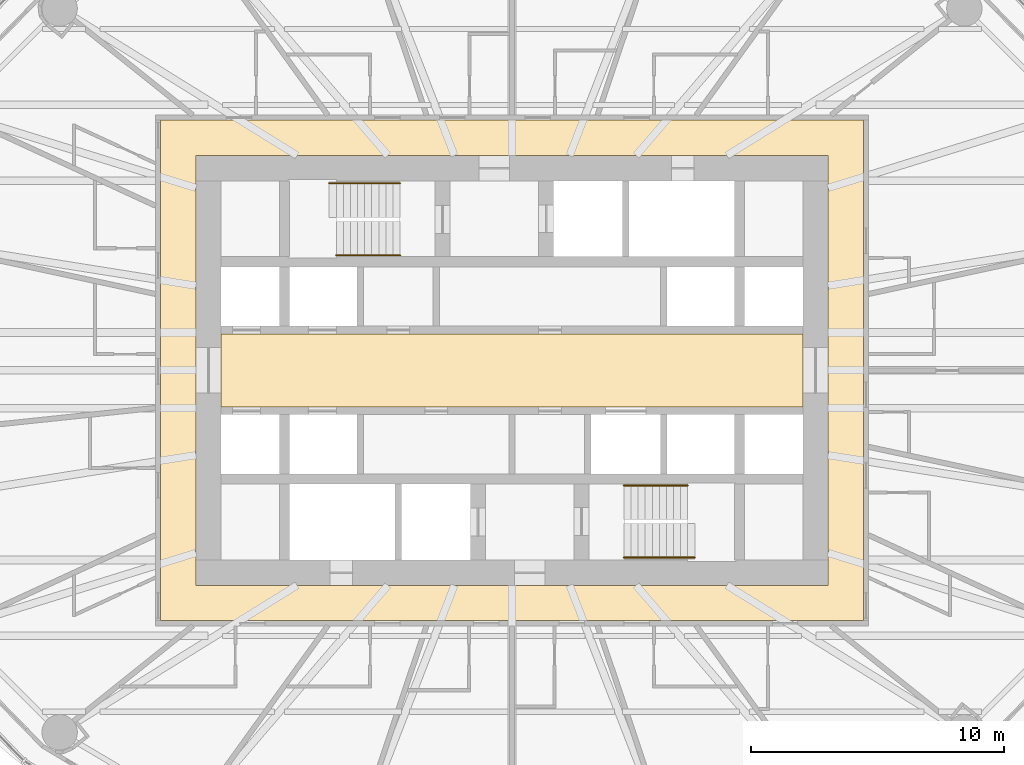
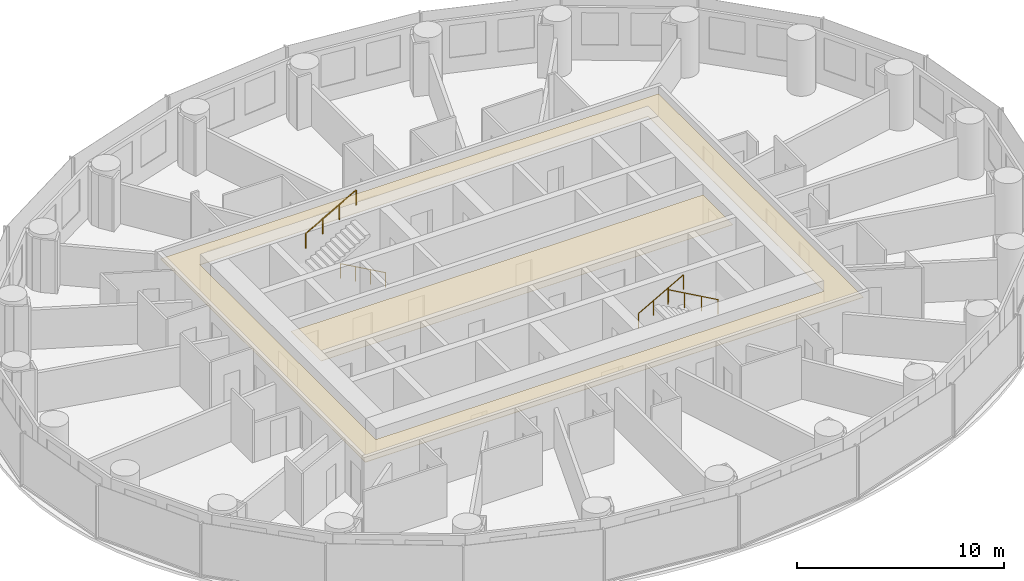
# One storey, part 14 of 14: 4 railings, 2 coverings.
"""IFC4 building model written with IfcOpenShell, lengths in metres."""

from ifc_helpers import new_model, si_unit, direction, frame, origin, origin_2d, place, context, subcontext, project, spatial, polyline, circle, outline, extrude, material, layer, layer_set, type_object, element, save


model = new_model("IFC4")

# Units and contexts
model_context = context("Model", 3, precision=1e-05, world=origin(), true_north=direction((0.0, 1.0)))
body_context = subcontext(model_context, "Body", "Model", "MODEL_VIEW")
ifc_project = project(units=[si_unit("LENGTHUNIT", "METRE"), si_unit("AREAUNIT", "SQUARE_METRE"), si_unit("VOLUMEUNIT", "CUBIC_METRE"), si_unit("PLANEANGLEUNIT", "RADIAN"), si_unit("MASSUNIT", "GRAM", prefix="KILO")], contexts=[model_context])

# Site, building, storey
site_placement = place(None, origin())
site = spatial("IfcSite", under=ifc_project, at=site_placement, CompositionType="ELEMENT")
building_placement = place(site_placement, origin())
building = spatial("IfcBuilding", under=site, at=building_placement, Name="Hankou Lantern Tower", CompositionType="ELEMENT")
storey_placement = place(building_placement, frame((0.0, 0.0, 60.60009765625)))
storey = spatial("IfcBuildingStorey", under=building, at=storey_placement, Name="L14", CompositionType="ELEMENT", Elevation=60.60009765625)

# Coverings
ifc_material_1 = material(Name="Black painted aluminium linear ceiling panels", Category="aluminium")
ifc_layer_1 = layer(ifc_material_1, 0.02490234375)
ifc_layer_set_1 = layer_set([ifc_layer_1], Name="Black painted aluminium linear ceiling panels")
covering_type_1 = type_object("IfcCoveringType", Name="CL1 CORRIDOR CEILING 25", PredefinedType="CEILING", material=ifc_layer_set_1)
covering_1_placement = place(storey_placement, frame((0.0, 0.0, 2.64501953125)))
element("IfcCovering", 1, at=covering_1_placement, inside=storey, type_object=covering_type_1, Name="Corridor ceiling L14", PredefinedType="CEILING", context=body_context, shape_type="SweptSolid", body=[
    extrude(outline(polyline([(-13.89990234375, -9.89990234375), (13.89990234375, -9.89990234375), (13.89990234375, 9.89990234375), (-13.89990234375, 9.89990234375), (-13.89990234375, -9.89990234375)]), holes=[polyline([(-12.5, 8.5), (12.5, 8.5), (12.5, -8.5), (-12.5, -8.5), (-12.5, 8.5)])]), origin(), (0.0, 0.0, 1.0), 0.02490234375),
])
ifc_material_2 = material(Name="Perforated black aluminium acoustic tray ceiling", Category="aluminium")
ifc_layer_2 = layer(ifc_material_2, 0.014892578125)
ifc_layer_set_2 = layer_set([ifc_layer_2], Name="Perforated black aluminium acoustic tray ceiling")
covering_type_2 = type_object("IfcCoveringType", Name="CL2 LIFT LOBBY CEILING 15", PredefinedType="CEILING", material=ifc_layer_set_2)
covering_2_placement = place(storey_placement, frame((0.0, 0.0, 2.65478515625)))
element("IfcCovering", 2, at=covering_2_placement, inside=storey, type_object=covering_type_2, Name="Lift lobby ceiling L14", PredefinedType="CEILING", context=body_context, shape_type="SweptSolid", body=[
    extrude(outline(polyline([(-11.5, -1.449951171875), (11.5, -1.449951171875), (11.5, 1.449951171875), (-11.5, 1.449951171875), (-11.5, -1.449951171875)])), origin(), (0.0, 0.0, 1.0), 0.01513671875),
])

# Railings
ifc_material_3 = material(Name="Steel handrail", Category="steel")
railing_type = type_object("IfcRailingType", Name="HR1 STAIR HANDRAIL", PredefinedType="HANDRAIL", material=ifc_material_3)
railing_1_placement = place(storey_placement, frame((-4.429931640625, 4.550048828125, 0.89990234375)))
element("IfcRailing", 3, at=railing_1_placement, inside=storey, type_object=railing_type, Name="Handrail stair STA L14 flight 1", PredefinedType="HANDRAIL", context=body_context, shape_type="SweptSolid", body=[
    extrude(circle(Radius=0.02392578125, at=origin_2d()), frame((0.0, 0.0, 0.8759765625), z_axis=(-0.872048945198, 0.0, 0.489418672692), x_axis=(0.0, -1.0, 0.0)), (0.0, 0.0, 1.0), 2.8896484375),
    extrude(circle(Radius=0.02099609375, at=origin_2d()), origin(), (0.0, 0.0, 1.0), 0.851806640625),
    extrude(circle(Radius=0.02099609375, at=origin_2d()), frame((-0.840087890625, 0.0, 0.471435546875)), (0.0, 0.0, 1.0), 0.851806640625),
    extrude(circle(Radius=0.02099609375, at=origin_2d()), frame((-1.679931640625, 0.0, 0.94287109375)), (0.0, 0.0, 1.0), 0.851806640625),
    extrude(circle(Radius=0.02099609375, at=origin_2d()), frame((-2.52001953125, 0.0, 1.414306640625)), (0.0, 0.0, 1.0), 0.851806640625),
])
railing_2_placement = place(storey_placement, frame((-7.22998046875, 7.39990234375, 2.471435546875)))
element("IfcRailing", 4, at=railing_2_placement, inside=storey, type_object=railing_type, Name="Handrail stair STA L14 flight 2", PredefinedType="HANDRAIL", context=body_context, shape_type="SweptSolid", body=[
    extrude(circle(Radius=0.02392578125, at=origin_2d()), frame((0.0, 0.0, 0.8759765625), z_axis=(0.872072602893, 0.0, 0.489376516891), x_axis=(0.0, 1.0, 0.0)), (0.0, 0.0, 1.0), 3.210693359375),
    extrude(circle(Radius=0.02099609375, at=origin_2d()), origin(), (0.0, 0.0, 1.0), 0.851806640625),
    extrude(circle(Radius=0.02099609375, at=origin_2d()), frame((0.933349609375, 0.0, 0.523681640625)), (0.0, 0.0, 1.0), 0.851806640625),
    extrude(circle(Radius=0.02099609375, at=origin_2d()), frame((1.86669921875, 0.0, 1.047607421875)), (0.0, 0.0, 1.0), 0.851806640625),
    extrude(circle(Radius=0.02099609375, at=origin_2d()), frame((2.800048828125, 0.0, 1.5712890625)), (0.0, 0.0, 1.0), 0.851806640625),
])
railing_3_placement = place(storey_placement, frame((4.429931640625, -4.550048828125, 0.89990234375)))
element("IfcRailing", 5, at=railing_3_placement, inside=storey, type_object=railing_type, Name="Handrail stair STB L14 flight 1", PredefinedType="HANDRAIL", context=body_context, shape_type="SweptSolid", body=[
    extrude(circle(Radius=0.02392578125, at=origin_2d()), frame((0.0, 0.0, 0.8759765625), z_axis=(0.872048945198, 0.0, 0.489418672692), x_axis=(0.0, 1.0, 0.0)), (0.0, 0.0, 1.0), 2.8896484375),
    extrude(circle(Radius=0.02099609375, at=origin_2d()), origin(), (0.0, 0.0, 1.0), 0.851806640625),
    extrude(circle(Radius=0.02099609375, at=origin_2d()), frame((0.840087890625, 0.0, 0.471435546875)), (0.0, 0.0, 1.0), 0.851806640625),
    extrude(circle(Radius=0.02099609375, at=origin_2d()), frame((1.679931640625, 0.0, 0.94287109375)), (0.0, 0.0, 1.0), 0.851806640625),
    extrude(circle(Radius=0.02099609375, at=origin_2d()), frame((2.52001953125, 0.0, 1.414306640625)), (0.0, 0.0, 1.0), 0.851806640625),
])
railing_4_placement = place(storey_placement, frame((7.22998046875, -7.39990234375, 2.471435546875)))
element("IfcRailing", 6, at=railing_4_placement, inside=storey, type_object=railing_type, Name="Handrail stair STB L14 flight 2", PredefinedType="HANDRAIL", context=body_context, shape_type="SweptSolid", body=[
    extrude(circle(Radius=0.02392578125, at=origin_2d()), frame((0.0, 0.0, 0.8759765625), z_axis=(-0.872072602893, 0.0, 0.489376516891), x_axis=(0.0, -1.0, 0.0)), (0.0, 0.0, 1.0), 3.210693359375),
    extrude(circle(Radius=0.02099609375, at=origin_2d()), origin(), (0.0, 0.0, 1.0), 0.851806640625),
    extrude(circle(Radius=0.02099609375, at=origin_2d()), frame((-0.933349609375, 0.0, 0.523681640625)), (0.0, 0.0, 1.0), 0.851806640625),
    extrude(circle(Radius=0.02099609375, at=origin_2d()), frame((-1.86669921875, 0.0, 1.047607421875)), (0.0, 0.0, 1.0), 0.851806640625),
    extrude(circle(Radius=0.02099609375, at=origin_2d()), frame((-2.800048828125, 0.0, 1.5712890625)), (0.0, 0.0, 1.0), 0.851806640625),
])

save(model, "model.ifc")
